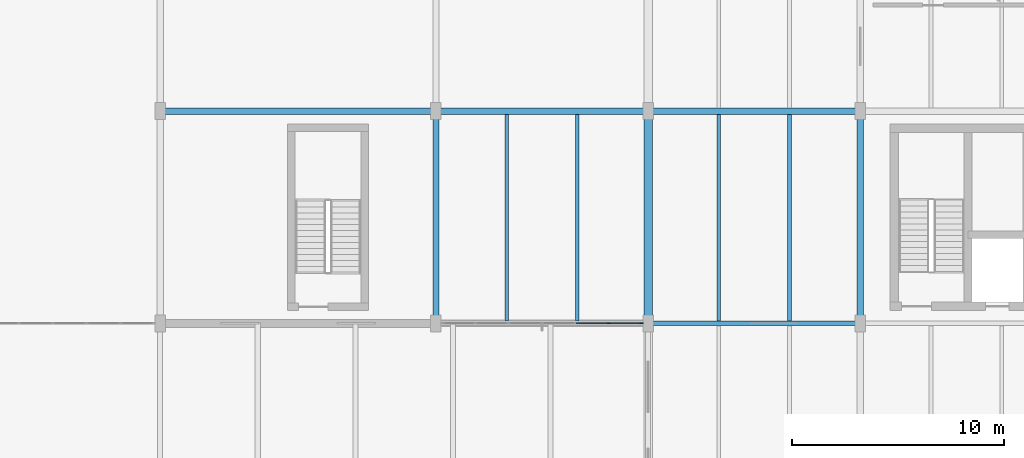
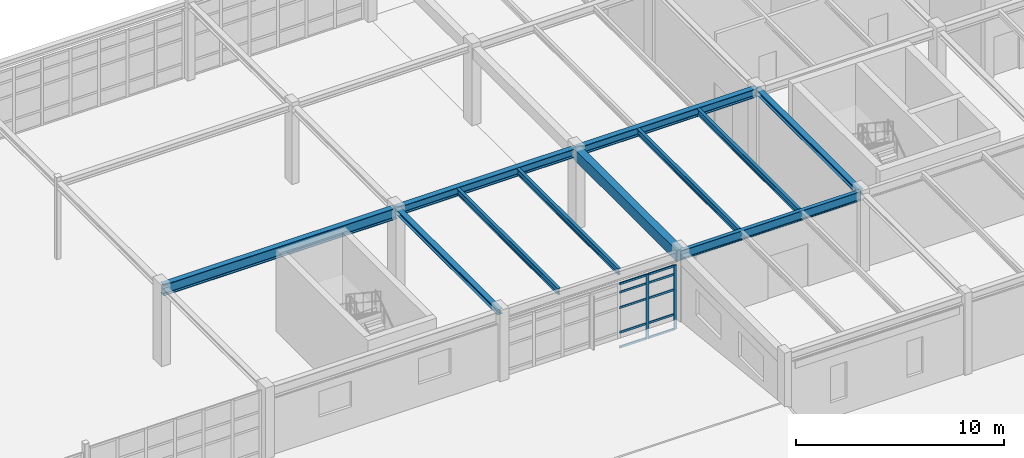
# One storey, part 63 of 139: 12 members, 11 beams, 1 element without a shape of its own.
"""IFC4 building model written with IfcOpenShell, lengths in metres."""

from ifc_helpers import new_model, si_unit, direction, frame, origin, origin_2d, place, context, subcontext, project, spatial, rectangle, i_section, extrude, material, layer, layer_set, material_profile, profile_set, type_object, element, aggregate, save


model = new_model("IFC4")

# Units and contexts
model_context = context("Model", 3, precision=1e-05, world=origin(), true_north=direction((0.0, 1.0)))
body_context = subcontext(model_context, "Body", "Model", "MODEL_VIEW")
ifc_project = project(units=[si_unit("LENGTHUNIT", "METRE"), si_unit("AREAUNIT", "SQUARE_METRE"), si_unit("VOLUMEUNIT", "CUBIC_METRE"), si_unit("PLANEANGLEUNIT", "RADIAN"), si_unit("MASSUNIT", "GRAM", prefix="KILO"), si_unit("THERMODYNAMICTEMPERATUREUNIT", "KELVIN"), si_unit("POWERUNIT", "WATT")], contexts=[model_context])

# Site, building, storey
site_placement = place(None, origin())
site = spatial("IfcSite", under=ifc_project, at=site_placement, CompositionType="ELEMENT")
building_placement = place(site_placement, origin())
building = spatial("IfcBuilding", under=site, at=building_placement, Name="Korenveer Ferry Terminal", CompositionType="ELEMENT")
storey_placement = place(building_placement, frame((0.0, 0.0, 5.39990234375)))
storey = spatial("IfcBuildingStorey", under=building, at=storey_placement, Name="L01", CompositionType="ELEMENT", Elevation=5.39990234375)

# Curtain wall, members
ifc_material_1 = material(Name="Unitised bronze-and-glass curtain wall", Category="glass")
ifc_layer = layer(ifc_material_1, 0.159912109375)
ifc_layer_set = layer_set([ifc_layer], Name="Unitised bronze-and-glass curtain wall")
curtain_wall_type = type_object("IfcCurtainWallType", Name="ENV-CW-42", PredefinedType="USERDEFINED", material=ifc_layer_set)
curtain_wall_placement = place(storey_placement, frame((136.280029296875, 20.0, 0.0)))
curtain_wall = element("IfcCurtainWall", 1, at=curtain_wall_placement, inside=storey, type_object=curtain_wall_type, Name="Lancet curtain wall CWX-L01-X136-146-Y20-20", ObjectType="UNITISED CURTAIN WALL", PredefinedType="USERDEFINED")
ifc_material_2 = material(Name="Anodised bronze aluminium", Category="aluminium")
ifc_material_profile_1 = material_profile(ifc_material_2, rectangle(XDim=0.06005859375, YDim=0.159912109375, at=origin_2d()), Name="ALU 60x160")
ifc_profile_set_1 = profile_set([ifc_material_profile_1], Name="Anodised bronze aluminium")
member_type_1 = type_object("IfcMemberType", Name="ENV-CWM-60X160", PredefinedType="MULLION", material=ifc_profile_set_1)
member_1_placement = place(storey_placement, frame((144.146728515625, 20.0, 0.0), z_axis=(0.0, 0.0, 1.0), x_axis=(0.0, 1.0, 0.0)))
member_1 = element("IfcMember", 2, at=member_1_placement, type_object=member_type_1, Name="CW-42 mullion 6", PredefinedType="MULLION", context=body_context, shape_type="SweptSolid", body=[
    extrude(rectangle(XDim=0.06005859375, YDim=0.159912109375, at=origin_2d()), origin(), (0.0, 0.0, 1.0), 3.77001953125),
])
member_2_placement = place(storey_placement, frame((145.68994140625, 20.0, 0.0), z_axis=(0.0, 0.0, 1.0), x_axis=(0.0, 1.0, 0.0)))
member_2 = element("IfcMember", 3, at=member_2_placement, type_object=member_type_1, Name="CW-42 mullion 7", PredefinedType="MULLION", context=body_context, shape_type="SweptSolid", body=[
    extrude(rectangle(XDim=0.06005859375, YDim=0.159912109375, at=origin_2d()), origin(), (0.0, 0.0, 1.0), 3.77001953125),
])
ifc_material_profile_2 = material_profile(ifc_material_2, rectangle(XDim=0.06005859375, YDim=0.1201171875, at=origin_2d()), Name="ALU 60x120")
ifc_profile_set_2 = profile_set([ifc_material_profile_2], Name="Anodised bronze aluminium")
member_type_2 = type_object("IfcMemberType", Name="ENV-CWT-60X120", PredefinedType="USERDEFINED", material=ifc_profile_set_2)
member_3_placement = place(storey_placement, frame((142.603271484375, 20.0, 0.030029296875), z_axis=(1.0, 0.0, 0.0), x_axis=(0.0, 1.0, 0.0)))
member_3 = element("IfcMember", 4, at=member_3_placement, type_object=member_type_2, Name="CW-42 transom 5.1", ObjectType="TRANSOM", PredefinedType="USERDEFINED", context=body_context, shape_type="SweptSolid", body=[
    extrude(rectangle(XDim=0.06005859375, YDim=0.1201171875, at=origin_2d()), origin(), (0.0, 0.0, 1.0), 1.513427734375),
])
member_4_placement = place(storey_placement, frame((142.603271484375, 20.0, 0.900146484375), z_axis=(1.0, 0.0, 0.0), x_axis=(0.0, 1.0, 0.0)))
member_4 = element("IfcMember", 5, at=member_4_placement, type_object=member_type_2, Name="CW-42 transom 5.2", ObjectType="TRANSOM", PredefinedType="USERDEFINED", context=body_context, shape_type="SweptSolid", body=[
    extrude(rectangle(XDim=0.06005859375, YDim=0.1201171875, at=origin_2d()), origin(), (0.0, 0.0, 1.0), 1.513427734375),
])
member_5_placement = place(storey_placement, frame((142.603271484375, 20.0, 2.35009765625), z_axis=(1.0, 0.0, 0.0), x_axis=(0.0, 1.0, 0.0)))
member_5 = element("IfcMember", 6, at=member_5_placement, type_object=member_type_2, Name="CW-42 transom 5.3", ObjectType="TRANSOM", PredefinedType="USERDEFINED", context=body_context, shape_type="SweptSolid", body=[
    extrude(rectangle(XDim=0.06005859375, YDim=0.1201171875, at=origin_2d()), origin(), (0.0, 0.0, 1.0), 1.513427734375),
])
member_6_placement = place(storey_placement, frame((142.603271484375, 20.0, 3.25), z_axis=(1.0, 0.0, 0.0), x_axis=(0.0, 1.0, 0.0)))
member_6 = element("IfcMember", 7, at=member_6_placement, type_object=member_type_2, Name="CW-42 transom 5.4", ObjectType="TRANSOM", PredefinedType="USERDEFINED", context=body_context, shape_type="SweptSolid", body=[
    extrude(rectangle(XDim=0.06005859375, YDim=0.1201171875, at=origin_2d()), origin(), (0.0, 0.0, 1.0), 1.513427734375),
])
member_7_placement = place(storey_placement, frame((142.603271484375, 20.0, 3.739990234375), z_axis=(1.0, 0.0, 0.0), x_axis=(0.0, 1.0, 0.0)))
member_7 = element("IfcMember", 8, at=member_7_placement, type_object=member_type_2, Name="CW-42 transom 5.5", ObjectType="TRANSOM", PredefinedType="USERDEFINED", context=body_context, shape_type="SweptSolid", body=[
    extrude(rectangle(XDim=0.06005859375, YDim=0.1201171875, at=origin_2d()), origin(), (0.0, 0.0, 1.0), 1.513427734375),
])
member_8_placement = place(storey_placement, frame((144.1767578125, 20.0, 0.030029296875), z_axis=(1.0, 0.0, 0.0), x_axis=(0.0, 1.0, 0.0)))
member_8 = element("IfcMember", 9, at=member_8_placement, type_object=member_type_2, Name="CW-42 transom 6.1", ObjectType="TRANSOM", PredefinedType="USERDEFINED", context=body_context, shape_type="SweptSolid", body=[
    extrude(rectangle(XDim=0.06005859375, YDim=0.1201171875, at=origin_2d()), origin(), (0.0, 0.0, 1.0), 1.483154296875),
])
member_9_placement = place(storey_placement, frame((144.1767578125, 20.0, 0.900146484375), z_axis=(1.0, 0.0, 0.0), x_axis=(0.0, 1.0, 0.0)))
member_9 = element("IfcMember", 10, at=member_9_placement, type_object=member_type_2, Name="CW-42 transom 6.2", ObjectType="TRANSOM", PredefinedType="USERDEFINED", context=body_context, shape_type="SweptSolid", body=[
    extrude(rectangle(XDim=0.06005859375, YDim=0.1201171875, at=origin_2d()), origin(), (0.0, 0.0, 1.0), 1.483154296875),
])
member_10_placement = place(storey_placement, frame((144.1767578125, 20.0, 2.35009765625), z_axis=(1.0, 0.0, 0.0), x_axis=(0.0, 1.0, 0.0)))
member_10 = element("IfcMember", 11, at=member_10_placement, type_object=member_type_2, Name="CW-42 transom 6.3", ObjectType="TRANSOM", PredefinedType="USERDEFINED", context=body_context, shape_type="SweptSolid", body=[
    extrude(rectangle(XDim=0.06005859375, YDim=0.1201171875, at=origin_2d()), origin(), (0.0, 0.0, 1.0), 1.483154296875),
])
member_11_placement = place(storey_placement, frame((144.1767578125, 20.0, 3.25), z_axis=(1.0, 0.0, 0.0), x_axis=(0.0, 1.0, 0.0)))
member_11 = element("IfcMember", 12, at=member_11_placement, type_object=member_type_2, Name="CW-42 transom 6.4", ObjectType="TRANSOM", PredefinedType="USERDEFINED", context=body_context, shape_type="SweptSolid", body=[
    extrude(rectangle(XDim=0.06005859375, YDim=0.1201171875, at=origin_2d()), origin(), (0.0, 0.0, 1.0), 1.483154296875),
])
member_12_placement = place(storey_placement, frame((144.1767578125, 20.0, 3.739990234375), z_axis=(1.0, 0.0, 0.0), x_axis=(0.0, 1.0, 0.0)))
member_12 = element("IfcMember", 13, at=member_12_placement, type_object=member_type_2, Name="CW-42 transom 6.5", ObjectType="TRANSOM", PredefinedType="USERDEFINED", context=body_context, shape_type="SweptSolid", body=[
    extrude(rectangle(XDim=0.06005859375, YDim=0.1201171875, at=origin_2d()), origin(), (0.0, 0.0, 1.0), 1.483154296875),
])
aggregate(curtain_wall, [member_1, member_2, member_3, member_4, member_5, member_6, member_7, member_8, member_9, member_10, member_11, member_12])

# Beams
ifc_material_3 = material(Name="Steel S355", Category="steel")
ifc_material_profile_3 = material_profile(ifc_material_3, i_section(OverallWidth=0.300048828125, OverallDepth=0.2900390625, WebThickness=0.008544921875, FlangeThickness=0.013916015625, FilletRadius=0.027099609375, at=origin_2d()), Name="HEA 300")
ifc_profile_set_3 = profile_set([ifc_material_profile_3], Name="Steel S355")
beam_type_1 = type_object("IfcBeamType", Name="STR-BM-HEA300", PredefinedType="BEAM", material=ifc_profile_set_3)
for number, where, z_axis, x_axis, name in (
    (14, (136.0, 20.02001953125, 4.405029296875), (0.0, 1.0, 0.0), (-1.0, 0.0, 0.0), "Primary Y girder BMY-L02-X136-Y20-30"),
    (15, (156.0, 20.02001953125, 4.405029296875), (0.0, 1.0, 0.0), (-1.0, 0.0, 0.0), "Primary Y girder BMY-L02-X156-Y20-30"),
):
    element("IfcBeam", number, at=place(storey_placement, frame(where, z_axis=z_axis, x_axis=x_axis)), inside=storey, type_object=beam_type_1, Name=name, PredefinedType="BEAM", context=body_context, shape_type="SweptSolid", body=[
        extrude(i_section(OverallWidth=0.300048828125, OverallDepth=0.2900390625, WebThickness=0.008544921875, FlangeThickness=0.013916015625, FilletRadius=0.027099609375, at=origin_2d()), origin(), (0.0, 0.0, 1.0), 9.9599609375),
    ])
ifc_material_profile_4 = material_profile(ifc_material_3, i_section(OverallWidth=0.300048828125, OverallDepth=0.5, WebThickness=0.014404296875, FlangeThickness=0.028076171875, FilletRadius=0.027099609375, at=origin_2d()), Name="HEB 500")
ifc_profile_set_4 = profile_set([ifc_material_profile_4], Name="Steel S355")
beam_type_2 = type_object("IfcBeamType", Name="STR-BM-HEB500", PredefinedType="BEAM", material=ifc_profile_set_4)
for number, where, z_axis, x_axis, name in (
    (16, (136.02001953125, 30.0, 4.300048828125), (1.0, 0.0, 0.0), (0.0, 1.0, 0.0), "Primary X girder BMX-L02-X136-146-Y30"),
    (17, (146.02001953125, 30.0, 4.300048828125), (1.0, 0.0, 0.0), (0.0, 1.0, 0.0), "Primary X girder BMX-L02-X146-156-Y30"),
):
    element("IfcBeam", number, at=place(storey_placement, frame(where, z_axis=z_axis, x_axis=x_axis)), inside=storey, type_object=beam_type_2, Name=name, PredefinedType="BEAM", context=body_context, shape_type="SweptSolid", body=[
        extrude(i_section(OverallWidth=0.300048828125, OverallDepth=0.5, WebThickness=0.014404296875, FlangeThickness=0.028076171875, FilletRadius=0.027099609375, at=origin_2d()), origin(), (0.0, 0.0, 1.0), 9.9599609375),
    ])
ifc_material_profile_5 = material_profile(ifc_material_3, i_section(OverallWidth=0.300048828125, OverallDepth=0.64990234375, WebThickness=0.01611328125, FlangeThickness=0.031005859375, FilletRadius=0.027099609375, at=origin_2d()), Name="HEB 650")
ifc_profile_set_5 = profile_set([ifc_material_profile_5], Name="Steel S355")
beam_type_3 = type_object("IfcBeamType", Name="STR-BM-HEB650", PredefinedType="BEAM", material=ifc_profile_set_5)
beam_1_placement = place(storey_placement, frame((123.02001953125, 30.0, 4.22509765625), z_axis=(1.0, 0.0, 0.0), x_axis=(0.0, 1.0, 0.0)))
element("IfcBeam", 18, at=beam_1_placement, inside=storey, type_object=beam_type_3, Name="Primary X girder BMX-L02-X123-136-Y30", PredefinedType="BEAM", context=body_context, shape_type="SweptSolid", body=[
    extrude(i_section(OverallWidth=0.300048828125, OverallDepth=0.64990234375, WebThickness=0.01611328125, FlangeThickness=0.031005859375, FilletRadius=0.027099609375, at=origin_2d()), origin(), (0.0, 0.0, 1.0), 12.9599609375),
])
ifc_material_profile_6 = material_profile(ifc_material_3, i_section(OverallWidth=0.2099609375, OverallDepth=0.550048828125, WebThickness=0.010986328125, FlangeThickness=0.01708984375, FilletRadius=0.02392578125, at=origin_2d()), Name="IPE 550")
ifc_profile_set_6 = profile_set([ifc_material_profile_6], Name="Steel S355")
beam_type_4 = type_object("IfcBeamType", Name="STR-BM-IPE550", PredefinedType="BEAM", material=ifc_profile_set_6)
beam_2_placement = place(storey_placement, frame((146.02001953125, 20.0, 4.275146484375), z_axis=(1.0, 0.0, 0.0), x_axis=(0.0, 1.0, 0.0)))
element("IfcBeam", 19, at=beam_2_placement, inside=storey, type_object=beam_type_4, Name="Primary X girder BMX-L02-X146-156-Y20", PredefinedType="BEAM", context=body_context, shape_type="SweptSolid", body=[
    extrude(i_section(OverallWidth=0.2099609375, OverallDepth=0.550048828125, WebThickness=0.010986328125, FlangeThickness=0.01708984375, FilletRadius=0.02392578125, at=origin_2d()), origin(), (0.0, 0.0, 1.0), 9.9599609375),
])
ifc_material_4 = material(Name="Concrete C40/50", Category="concrete")
ifc_material_profile_7 = material_profile(ifc_material_4, rectangle(XDim=0.39990234375, YDim=0.64990234375, at=origin_2d()), Name="RC 400x650")
ifc_profile_set_7 = profile_set([ifc_material_profile_7], Name="Concrete C40/50")
beam_type_5 = type_object("IfcBeamType", Name="STR-BM-RC400X650", PredefinedType="BEAM", material=ifc_profile_set_7)
beam_3_placement = place(storey_placement, frame((146.0, 20.02001953125, 4.22509765625), z_axis=(0.0, 1.0, 0.0), x_axis=(-1.0, 0.0, 0.0)))
element("IfcBeam", 20, at=beam_3_placement, inside=storey, type_object=beam_type_5, Name="Primary Y girder BMY-L02-X146-Y20-30", PredefinedType="BEAM", context=body_context, shape_type="SweptSolid", body=[
    extrude(rectangle(XDim=0.39990234375, YDim=0.64990234375, at=origin_2d()), origin(), (0.0, 0.0, 1.0), 9.9599609375),
])
ifc_material_profile_8 = material_profile(ifc_material_3, i_section(OverallWidth=0.169921875, OverallDepth=0.360107421875, WebThickness=0.008056640625, FlangeThickness=0.0126953125, FilletRadius=0.01806640625, at=origin_2d()), Name="IPE 360")
ifc_profile_set_8 = profile_set([ifc_material_profile_8], Name="Steel S355")
beam_type_6 = type_object("IfcBeamType", Name="STR-JST-IPE360", PredefinedType="JOIST", material=ifc_profile_set_8)
for number, where, z_axis, x_axis, name in (
    (21, (139.333251953125, 20.114990234375, 4.3701171875), (0.0, 1.0, 0.0), (-1.0, 0.0, 0.0), "Secondary composite joist JST-L02-X1393-Y20-30"),
    (22, (142.666748046875, 20.114990234375, 4.3701171875), (0.0, 1.0, 0.0), (-1.0, 0.0, 0.0), "Secondary composite joist JST-L02-X1427-Y20-30"),
    (23, (149.333251953125, 20.114990234375, 4.3701171875), (0.0, 1.0, 0.0), (-1.0, 0.0, 0.0), "Secondary composite joist JST-L02-X1493-Y20-30"),
    (24, (152.666748046875, 20.114990234375, 4.3701171875), (0.0, 1.0, 0.0), (-1.0, 0.0, 0.0), "Secondary composite joist JST-L02-X1527-Y20-30"),
):
    element("IfcBeam", number, at=place(storey_placement, frame(where, z_axis=z_axis, x_axis=x_axis)), inside=storey, type_object=beam_type_6, Name=name, PredefinedType="JOIST", context=body_context, shape_type="SweptSolid", body=[
        extrude(i_section(OverallWidth=0.169921875, OverallDepth=0.360107421875, WebThickness=0.008056640625, FlangeThickness=0.0126953125, FilletRadius=0.01806640625, at=origin_2d()), origin(), (0.0, 0.0, 1.0), 9.72509765625),
    ])

save(model, "model.ifc")
